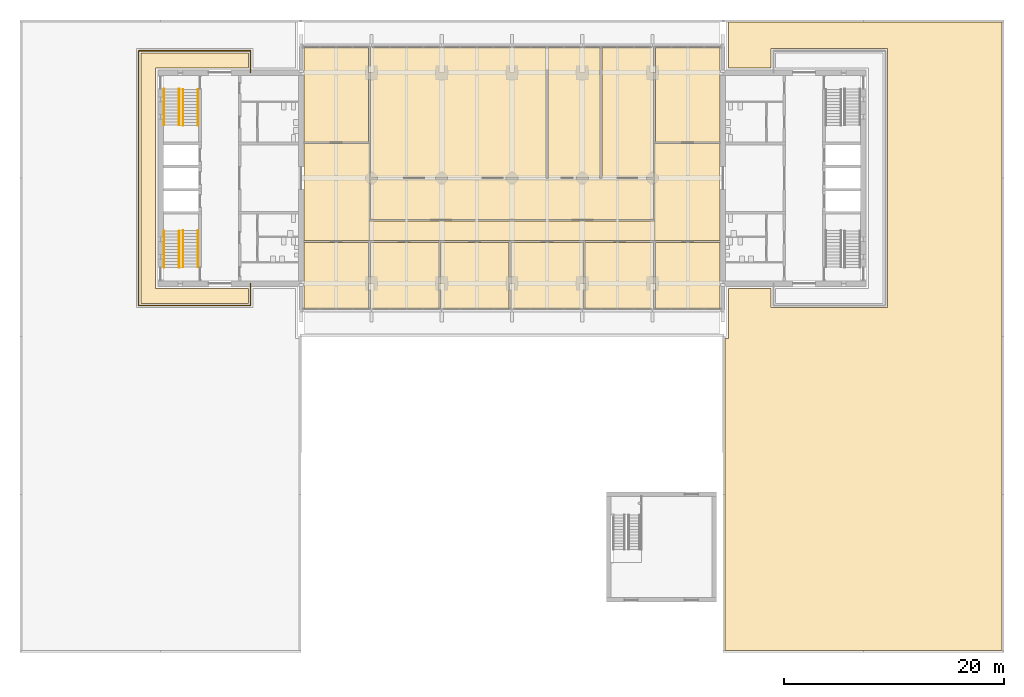
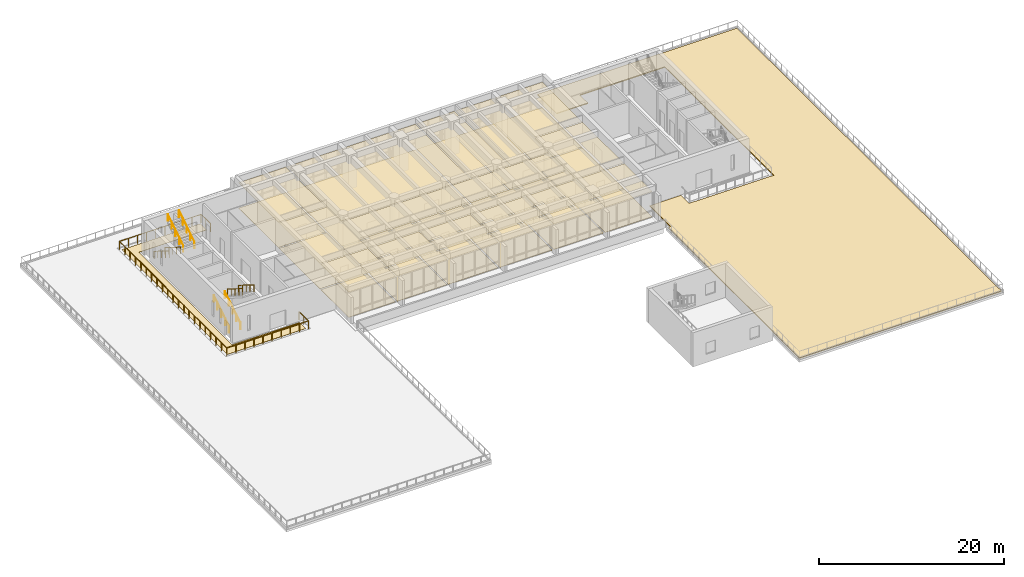
# One storey, part 19 of 21: 32 coverings, 9 railings.
"""IFC4 building model written with IfcOpenShell, lengths in metres."""

from ifc_helpers import new_model, si_unit, direction, frame, origin, origin_2d, place, context, subcontext, project, spatial, polyline, circle, outline, extrude, material, layer, layer_set, type_object, element, save


model = new_model("IFC4")

# Units and contexts
model_context = context("Model", 3, precision=1e-05, world=origin(), true_north=direction((0.0, 1.0)))
body_context = subcontext(model_context, "Body", "Model", "MODEL_VIEW")
ifc_project = project(units=[si_unit("LENGTHUNIT", "METRE"), si_unit("AREAUNIT", "SQUARE_METRE"), si_unit("VOLUMEUNIT", "CUBIC_METRE"), si_unit("PLANEANGLEUNIT", "RADIAN"), si_unit("MASSUNIT", "GRAM", prefix="KILO")], contexts=[model_context])

# Site, building, storey
site_placement = place(None, origin())
site = spatial("IfcSite", under=ifc_project, at=site_placement, CompositionType="ELEMENT")
building_placement = place(site_placement, origin())
building = spatial("IfcBuilding", under=site, at=building_placement, Name="Fogon Plaza Fire Station and Headquarters Tower", CompositionType="ELEMENT")
storey_placement = place(building_placement, frame((0.0, 0.0, 8.39990234375)))
storey = spatial("IfcBuildingStorey", under=building, at=storey_placement, Name="L02", CompositionType="ELEMENT", Elevation=8.39990234375)

# Coverings
ifc_material_1 = material(Name="Extensive green roof substrate and sedum")
ifc_layer_1 = layer(ifc_material_1, 0.1201171875)
ifc_layer_set_1 = layer_set([ifc_layer_1], Name="Extensive green roof substrate and sedum")
covering_type_1 = type_object("IfcCoveringType", Name="Extensive Green Roof 120", PredefinedType="USERDEFINED", material=ifc_layer_set_1)
covering_1_placement = place(storey_placement, origin())
element("IfcCovering", 1, at=covering_1_placement, inside=storey, type_object=covering_type_1, Name="Green roof E", ObjectType="GREEN ROOF", PredefinedType="USERDEFINED", context=body_context, shape_type="SweptSolid", body=[
    extrude(outline(polyline([(89.39990234375, 57.39990234375), (89.39990234375, 0.199951171875), (64.199951171875, 0.199951171875), (64.199951171875, 28.60009765625), (64.5, 28.60009765625), (64.5, 33.14990234375), (68.39990234375, 33.14990234375), (68.39990234375, 31.39990234375), (79.0, 31.39990234375), (79.0, 55.0), (68.39990234375, 55.0), (68.39990234375, 53.25), (64.5, 53.25), (64.5, 57.39990234375), (89.39990234375, 57.39990234375)])), origin(), (0.0, 0.0, 1.0), 0.1201171875),
])
ifc_material_2 = material(Name="Hardwood decking", Category="wood")
ifc_layer_2 = layer(ifc_material_2, 0.030029296875)
ifc_layer_set_2 = layer_set([ifc_layer_2], Name="Hardwood decking")
covering_type_2 = type_object("IfcCoveringType", Name="Hardwood Terrace Decking 30", PredefinedType="FLOORING", material=ifc_layer_set_2)
covering_2_placement = place(storey_placement, origin())
element("IfcCovering", 2, at=covering_2_placement, inside=storey, type_object=covering_type_2, Name="Terrace decking W", PredefinedType="FLOORING", context=body_context, shape_type="SweptSolid", body=[
    extrude(outline(polyline([(20.800048828125, 31.800048828125), (11.0, 31.800048828125), (11.0, 54.60009765625), (20.800048828125, 54.60009765625), (20.800048828125, 53.25), (12.35009765625, 53.25), (12.35009765625, 33.14990234375), (20.800048828125, 33.14990234375), (20.800048828125, 31.800048828125)])), origin(), (0.0, 0.0, 1.0), 0.030029296875),
])

# Railings
ifc_material_3 = material(Name="Steel", Category="steel")
railing_type_1 = type_object("IfcRailingType", Name="Stair Handrail 900", PredefinedType="HANDRAIL", material=ifc_material_3)
for number, where, name in (
    (3, (13.10009765625, 35.06005859375, 0.173095703125), "Handrail ST1"),
    (4, (14.5, 35.06005859375, 0.173095703125), "Handrail ST1"),
):
    element("IfcRailing", number, at=place(storey_placement, frame(where)), inside=storey, type_object=railing_type_1, Name=name, PredefinedType="HANDRAIL", context=body_context, shape_type="SweptSolid", body=[
        extrude(circle(Radius=0.02392578125, at=origin_2d()), frame((0.0, 0.0, 0.8759765625), z_axis=(0.0, 0.847415758042, 0.530929875804), x_axis=(-1.0, 0.0, 0.0)), (0.0, 0.0, 1.0), 3.911865234375),
        extrude(circle(Radius=0.02099609375, at=origin_2d()), origin(), (0.0, 0.0, 1.0), 0.851806640625),
        extrude(circle(Radius=0.02099609375, at=origin_2d()), frame((0.0, 0.82861328125, 0.519287109375)), (0.0, 0.0, 1.0), 0.851806640625),
        extrude(circle(Radius=0.02099609375, at=origin_2d()), frame((0.0, 1.657470703125, 1.03857421875)), (0.0, 0.0, 1.0), 0.851806640625),
        extrude(circle(Radius=0.02099609375, at=origin_2d()), frame((0.0, 2.486328125, 1.5576171875)), (0.0, 0.0, 1.0), 0.851806640625),
        extrude(circle(Radius=0.02099609375, at=origin_2d()), frame((0.0, 3.31494140625, 2.076904296875)), (0.0, 0.0, 1.0), 0.851806640625),
    ])
for number, where, name in (
    (5, (16.22509765625, 38.425048828125, 2.423095703125), "Handrail ST1"),
    (6, (14.824951171875, 38.425048828125, 2.423095703125), "Handrail ST1"),
):
    element("IfcRailing", number, at=place(storey_placement, frame(where)), inside=storey, type_object=railing_type_1, Name=name, PredefinedType="HANDRAIL", context=body_context, shape_type="SweptSolid", body=[
        extrude(circle(Radius=0.02392578125, at=origin_2d()), frame((0.0, 0.0, 0.8759765625), z_axis=(0.0, -0.847415758042, 0.530929875804), x_axis=(1.0, 0.0, 0.0)), (0.0, 0.0, 1.0), 3.911865234375),
        extrude(circle(Radius=0.02099609375, at=origin_2d()), origin(), (0.0, 0.0, 1.0), 0.851806640625),
        extrude(circle(Radius=0.02099609375, at=origin_2d()), frame((0.0, -0.82861328125, 0.519287109375)), (0.0, 0.0, 1.0), 0.851806640625),
        extrude(circle(Radius=0.02099609375, at=origin_2d()), frame((0.0, -1.657470703125, 1.03857421875)), (0.0, 0.0, 1.0), 0.851806640625),
        extrude(circle(Radius=0.02099609375, at=origin_2d()), frame((0.0, -2.486328125, 1.5576171875)), (0.0, 0.0, 1.0), 0.851806640625),
        extrude(circle(Radius=0.02099609375, at=origin_2d()), frame((0.0, -3.31494140625, 2.076904296875)), (0.0, 0.0, 1.0), 0.851806640625),
    ])
for number, where, name in (
    (7, (13.10009765625, 51.340087890625, 0.173095703125), "Handrail ST2"),
    (8, (14.5, 51.340087890625, 0.173095703125), "Handrail ST2"),
):
    element("IfcRailing", number, at=place(storey_placement, frame(where)), inside=storey, type_object=railing_type_1, Name=name, PredefinedType="HANDRAIL", context=body_context, shape_type="SweptSolid", body=[
        extrude(circle(Radius=0.02392578125, at=origin_2d()), frame((0.0, 0.0, 0.8759765625), z_axis=(0.0, -0.847433349451, 0.53090179717), x_axis=(1.0, 0.0, 0.0)), (0.0, 0.0, 1.0), 3.912109375),
        extrude(circle(Radius=0.02099609375, at=origin_2d()), origin(), (0.0, 0.0, 1.0), 0.851806640625),
        extrude(circle(Radius=0.02099609375, at=origin_2d()), frame((0.0, -0.828857421875, 0.519287109375)), (0.0, 0.0, 1.0), 0.851806640625),
        extrude(circle(Radius=0.02099609375, at=origin_2d()), frame((0.0, -1.65771484375, 1.03857421875)), (0.0, 0.0, 1.0), 0.851806640625),
        extrude(circle(Radius=0.02099609375, at=origin_2d()), frame((0.0, -2.486328125, 1.5576171875)), (0.0, 0.0, 1.0), 0.851806640625),
        extrude(circle(Radius=0.02099609375, at=origin_2d()), frame((0.0, -3.315185546875, 2.076904296875)), (0.0, 0.0, 1.0), 0.851806640625),
    ])
for number, where, name in (
    (9, (16.22509765625, 47.97509765625, 2.423095703125), "Handrail ST2"),
    (10, (14.824951171875, 47.97509765625, 2.423095703125), "Handrail ST2"),
):
    element("IfcRailing", number, at=place(storey_placement, frame(where)), inside=storey, type_object=railing_type_1, Name=name, PredefinedType="HANDRAIL", context=body_context, shape_type="SweptSolid", body=[
        extrude(circle(Radius=0.02392578125, at=origin_2d()), frame((0.0, 0.0, 0.8759765625), z_axis=(0.0, 0.847415758042, 0.530929875804), x_axis=(-1.0, 0.0, 0.0)), (0.0, 0.0, 1.0), 3.911865234375),
        extrude(circle(Radius=0.02099609375, at=origin_2d()), origin(), (0.0, 0.0, 1.0), 0.851806640625),
        extrude(circle(Radius=0.02099609375, at=origin_2d()), frame((0.0, 0.82861328125, 0.519287109375)), (0.0, 0.0, 1.0), 0.851806640625),
        extrude(circle(Radius=0.02099609375, at=origin_2d()), frame((0.0, 1.657470703125, 1.03857421875)), (0.0, 0.0, 1.0), 0.851806640625),
        extrude(circle(Radius=0.02099609375, at=origin_2d()), frame((0.0, 2.486328125, 1.5576171875)), (0.0, 0.0, 1.0), 0.851806640625),
        extrude(circle(Radius=0.02099609375, at=origin_2d()), frame((0.0, 3.31494140625, 2.076904296875)), (0.0, 0.0, 1.0), 0.851806640625),
    ])
ifc_material_4 = material(Name="Galvanised Steel", Category="steel")
railing_type_2 = type_object("IfcRailingType", Name="Terrace Guard Steel 1100", PredefinedType="GUARDRAIL", material=ifc_material_4)
railing_placement = place(storey_placement, frame((21.0, 33.60009765625, 0.0)))
element("IfcRailing", 11, at=railing_placement, inside=storey, type_object=railing_type_2, Name="rail-L02-terrace-TW-inner", PredefinedType="GUARDRAIL", context=body_context, shape_type="SweptSolid", body=[
    extrude(circle(Radius=0.02392578125, at=origin_2d()), frame((0.0, 0.0, 1.076171875), z_axis=(0.0, -1.0, 0.0), x_axis=(1.0, 0.0, 0.0)), (0.0, 0.0, 1.0), 2.0),
    extrude(circle(Radius=0.02392578125, at=origin_2d()), frame((0.0, -2.0, 1.076171875), z_axis=(-1.0, 0.0, 0.0), x_axis=(0.0, -1.0, 0.0)), (0.0, 0.0, 1.0), 10.199951171875),
    extrude(circle(Radius=0.02392578125, at=origin_2d()), frame((-10.199951171875, -2.0, 1.076171875), z_axis=(0.0, 1.0, 0.0), x_axis=(-1.0, 0.0, 0.0)), (0.0, 0.0, 1.0), 23.199951171875),
    extrude(circle(Radius=0.02392578125, at=origin_2d()), frame((-10.199951171875, 21.199951171875, 1.076171875), z_axis=(1.0, 0.0, 0.0), x_axis=(0.0, 1.0, 0.0)), (0.0, 0.0, 1.0), 10.199951171875),
    extrude(circle(Radius=0.02392578125, at=origin_2d()), frame((0.0, 21.199951171875, 1.076171875), z_axis=(0.0, -1.0, 0.0), x_axis=(1.0, 0.0, 0.0)), (0.0, 0.0, 1.0), 2.0),
    extrude(circle(Radius=0.02099609375, at=origin_2d()), origin(), (0.0, 0.0, 1.0), 1.052001953125),
    extrude(circle(Radius=0.02099609375, at=origin_2d()), frame((0.0, -1.0, 0.0)), (0.0, 0.0, 1.0), 1.052001953125),
    extrude(circle(Radius=0.02099609375, at=origin_2d()), frame((0.0, -2.0, 0.0)), (0.0, 0.0, 1.0), 1.052001953125),
    extrude(circle(Radius=0.02099609375, at=origin_2d()), frame((-1.13330078125, -2.0, 0.0)), (0.0, 0.0, 1.0), 1.052001953125),
    extrude(circle(Radius=0.02099609375, at=origin_2d()), frame((-2.2666015625, -2.0, 0.0)), (0.0, 0.0, 1.0), 1.052001953125),
    extrude(circle(Radius=0.02099609375, at=origin_2d()), frame((-3.39990234375, -2.0, 0.0)), (0.0, 0.0, 1.0), 1.052001953125),
    extrude(circle(Radius=0.02099609375, at=origin_2d()), frame((-4.533203125, -2.0, 0.0)), (0.0, 0.0, 1.0), 1.052001953125),
    extrude(circle(Radius=0.02099609375, at=origin_2d()), frame((-5.666748046875, -2.0, 0.0)), (0.0, 0.0, 1.0), 1.052001953125),
    extrude(circle(Radius=0.02099609375, at=origin_2d()), frame((-6.800048828125, -2.0, 0.0)), (0.0, 0.0, 1.0), 1.052001953125),
    extrude(circle(Radius=0.02099609375, at=origin_2d()), frame((-7.933349609375, -2.0, 0.0)), (0.0, 0.0, 1.0), 1.052001953125),
    extrude(circle(Radius=0.02099609375, at=origin_2d()), frame((-9.066650390625, -2.0, 0.0)), (0.0, 0.0, 1.0), 1.052001953125),
    extrude(circle(Radius=0.02099609375, at=origin_2d()), frame((-10.199951171875, -2.0, 0.0)), (0.0, 0.0, 1.0), 1.052001953125),
    extrude(circle(Radius=0.02099609375, at=origin_2d()), frame((-10.199951171875, -0.840087890625, 0.0)), (0.0, 0.0, 1.0), 1.052001953125),
    extrude(circle(Radius=0.02099609375, at=origin_2d()), frame((-10.199951171875, 0.320068359375, 0.0)), (0.0, 0.0, 1.0), 1.052001953125),
    extrude(circle(Radius=0.02099609375, at=origin_2d()), frame((-10.199951171875, 1.47998046875, 0.0)), (0.0, 0.0, 1.0), 1.052001953125),
    extrude(circle(Radius=0.02099609375, at=origin_2d()), frame((-10.199951171875, 2.639892578125, 0.0)), (0.0, 0.0, 1.0), 1.052001953125),
    extrude(circle(Radius=0.02099609375, at=origin_2d()), frame((-10.199951171875, 3.800048828125, 0.0)), (0.0, 0.0, 1.0), 1.052001953125),
    extrude(circle(Radius=0.02099609375, at=origin_2d()), frame((-10.199951171875, 4.9599609375, 0.0)), (0.0, 0.0, 1.0), 1.052001953125),
    extrude(circle(Radius=0.02099609375, at=origin_2d()), frame((-10.199951171875, 6.119873046875, 0.0)), (0.0, 0.0, 1.0), 1.052001953125),
    extrude(circle(Radius=0.02099609375, at=origin_2d()), frame((-10.199951171875, 7.280029296875, 0.0)), (0.0, 0.0, 1.0), 1.052001953125),
    extrude(circle(Radius=0.02099609375, at=origin_2d()), frame((-10.199951171875, 8.43994140625, 0.0)), (0.0, 0.0, 1.0), 1.052001953125),
    extrude(circle(Radius=0.02099609375, at=origin_2d()), frame((-10.199951171875, 9.60009765625, 0.0)), (0.0, 0.0, 1.0), 1.052001953125),
    extrude(circle(Radius=0.02099609375, at=origin_2d()), frame((-10.199951171875, 10.760009765625, 0.0)), (0.0, 0.0, 1.0), 1.052001953125),
    extrude(circle(Radius=0.02099609375, at=origin_2d()), frame((-10.199951171875, 11.919921875, 0.0)), (0.0, 0.0, 1.0), 1.052001953125),
    extrude(circle(Radius=0.02099609375, at=origin_2d()), frame((-10.199951171875, 13.080078125, 0.0)), (0.0, 0.0, 1.0), 1.052001953125),
    extrude(circle(Radius=0.02099609375, at=origin_2d()), frame((-10.199951171875, 14.239990234375, 0.0)), (0.0, 0.0, 1.0), 1.052001953125),
    extrude(circle(Radius=0.02099609375, at=origin_2d()), frame((-10.199951171875, 15.39990234375, 0.0)), (0.0, 0.0, 1.0), 1.052001953125),
    extrude(circle(Radius=0.02099609375, at=origin_2d()), frame((-10.199951171875, 16.56005859375, 0.0)), (0.0, 0.0, 1.0), 1.052001953125),
    extrude(circle(Radius=0.02099609375, at=origin_2d()), frame((-10.199951171875, 17.719970703125, 0.0)), (0.0, 0.0, 1.0), 1.052001953125),
    extrude(circle(Radius=0.02099609375, at=origin_2d()), frame((-10.199951171875, 18.8798828125, 0.0)), (0.0, 0.0, 1.0), 1.052001953125),
    extrude(circle(Radius=0.02099609375, at=origin_2d()), frame((-10.199951171875, 20.0400390625, 0.0)), (0.0, 0.0, 1.0), 1.052001953125),
    extrude(circle(Radius=0.02099609375, at=origin_2d()), frame((-10.199951171875, 21.199951171875, 0.0)), (0.0, 0.0, 1.0), 1.052001953125),
    extrude(circle(Radius=0.02099609375, at=origin_2d()), frame((-9.066650390625, 21.199951171875, 0.0)), (0.0, 0.0, 1.0), 1.052001953125),
    extrude(circle(Radius=0.02099609375, at=origin_2d()), frame((-7.933349609375, 21.199951171875, 0.0)), (0.0, 0.0, 1.0), 1.052001953125),
    extrude(circle(Radius=0.02099609375, at=origin_2d()), frame((-6.800048828125, 21.199951171875, 0.0)), (0.0, 0.0, 1.0), 1.052001953125),
    extrude(circle(Radius=0.02099609375, at=origin_2d()), frame((-5.666748046875, 21.199951171875, 0.0)), (0.0, 0.0, 1.0), 1.052001953125),
    extrude(circle(Radius=0.02099609375, at=origin_2d()), frame((-4.533203125, 21.199951171875, 0.0)), (0.0, 0.0, 1.0), 1.052001953125),
    extrude(circle(Radius=0.02099609375, at=origin_2d()), frame((-3.39990234375, 21.199951171875, 0.0)), (0.0, 0.0, 1.0), 1.052001953125),
    extrude(circle(Radius=0.02099609375, at=origin_2d()), frame((-2.2666015625, 21.199951171875, 0.0)), (0.0, 0.0, 1.0), 1.052001953125),
    extrude(circle(Radius=0.02099609375, at=origin_2d()), frame((-1.13330078125, 21.199951171875, 0.0)), (0.0, 0.0, 1.0), 1.052001953125),
    extrude(circle(Radius=0.02099609375, at=origin_2d()), frame((0.0, 21.199951171875, 0.0)), (0.0, 0.0, 1.0), 1.052001953125),
    extrude(circle(Radius=0.02099609375, at=origin_2d()), frame((0.0, 20.199951171875, 0.0)), (0.0, 0.0, 1.0), 1.052001953125),
    extrude(circle(Radius=0.02099609375, at=origin_2d()), frame((0.0, 19.199951171875, 0.0)), (0.0, 0.0, 1.0), 1.052001953125),
])

# Coverings
ifc_material_5 = material(Name="Acoustic ceiling tile")
ifc_layer_3 = layer(ifc_material_5, 0.050048828125)
ifc_layer_set_3 = layer_set([ifc_layer_3], Name="Acoustic ceiling tile")
covering_type_3 = type_object("IfcCoveringType", Name="Tower acoustic ceiling", PredefinedType="CEILING", material=ifc_layer_set_3)
covering_3_placement = place(storey_placement, frame((0.0, 0.0, 3.330078125)))
element("IfcCovering", 12, at=covering_3_placement, inside=storey, type_object=covering_type_3, Name="cov-cl-L02-01", PredefinedType="CEILING", context=body_context, shape_type="SweptSolid", body=[
    extrude(outline(polyline([(31.732421875, 31.300048828125), (31.732421875, 37.35009765625), (25.85009765625, 37.35009765625), (25.85009765625, 31.300048828125), (31.732421875, 31.300048828125)])), origin(), (0.0, 0.0, 1.0), 0.050048828125),
])
covering_4_placement = place(storey_placement, frame((0.0, 0.0, 3.330078125)))
element("IfcCovering", 13, at=covering_4_placement, inside=storey, type_object=covering_type_3, Name="cov-cl-L02-02", PredefinedType="CEILING", context=body_context, shape_type="SweptSolid", body=[
    extrude(outline(polyline([(38.132568359375, 31.300048828125), (38.132568359375, 37.35009765625), (31.907470703125, 37.35009765625), (31.907470703125, 31.300048828125), (38.132568359375, 31.300048828125)])), origin(), (0.0, 0.0, 1.0), 0.050048828125),
])
covering_5_placement = place(storey_placement, frame((0.0, 0.0, 3.330078125)))
element("IfcCovering", 14, at=covering_5_placement, inside=storey, type_object=covering_type_3, Name="cov-cl-L02-03", PredefinedType="CEILING", context=body_context, shape_type="SweptSolid", body=[
    extrude(outline(polyline([(44.532470703125, 31.300048828125), (44.532470703125, 37.35009765625), (38.3076171875, 37.35009765625), (38.3076171875, 31.300048828125), (44.532470703125, 31.300048828125)])), origin(), (0.0, 0.0, 1.0), 0.050048828125),
])
covering_6_placement = place(storey_placement, frame((0.0, 0.0, 3.330078125)))
element("IfcCovering", 15, at=covering_6_placement, inside=storey, type_object=covering_type_3, Name="cov-cl-L02-04", PredefinedType="CEILING", context=body_context, shape_type="SweptSolid", body=[
    extrude(outline(polyline([(51.29248046875, 31.300048828125), (51.29248046875, 37.35009765625), (44.70751953125, 37.35009765625), (44.70751953125, 31.300048828125), (51.29248046875, 31.300048828125)])), origin(), (0.0, 0.0, 1.0), 0.050048828125),
])
covering_7_placement = place(storey_placement, frame((0.0, 0.0, 3.330078125)))
element("IfcCovering", 16, at=covering_7_placement, inside=storey, type_object=covering_type_3, Name="cov-cl-L02-05", PredefinedType="CEILING", context=body_context, shape_type="SweptSolid", body=[
    extrude(outline(polyline([(57.6923828125, 31.300048828125), (57.6923828125, 37.35009765625), (51.467529296875, 37.35009765625), (51.467529296875, 31.300048828125), (57.6923828125, 31.300048828125)])), origin(), (0.0, 0.0, 1.0), 0.050048828125),
])
covering_8_placement = place(storey_placement, frame((0.0, 0.0, 3.330078125)))
element("IfcCovering", 17, at=covering_8_placement, inside=storey, type_object=covering_type_3, Name="cov-cl-L02-06", PredefinedType="CEILING", context=body_context, shape_type="SweptSolid", body=[
    extrude(outline(polyline([(63.75, 31.300048828125), (63.75, 37.35009765625), (57.867431640625, 37.35009765625), (57.867431640625, 31.300048828125), (63.75, 31.300048828125)])), origin(), (0.0, 0.0, 1.0), 0.050048828125),
])
covering_9_placement = place(storey_placement, frame((0.0, 0.0, 3.330078125)))
element("IfcCovering", 18, at=covering_9_placement, inside=storey, type_object=covering_type_3, Name="cov-cl-L02-08", PredefinedType="CEILING", context=body_context, shape_type="SweptSolid", body=[
    extrude(outline(polyline([(47.91259765625, 43.27490234375), (47.91259765625, 55.10009765625), (31.89501953125, 55.10009765625), (31.89501953125, 43.27490234375), (47.91259765625, 43.27490234375)])), origin(), (0.0, 0.0, 1.0), 0.050048828125),
])
covering_10_placement = place(storey_placement, frame((0.0, 0.0, 3.330078125)))
element("IfcCovering", 19, at=covering_10_placement, inside=storey, type_object=covering_type_3, Name="cov-cl-L02-10", PredefinedType="CEILING", context=body_context, shape_type="SweptSolid", body=[
    extrude(outline(polyline([(57.705078125, 43.27490234375), (57.705078125, 55.10009765625), (52.9775390625, 55.10009765625), (52.9775390625, 43.27490234375), (57.705078125, 43.27490234375)])), origin(), (0.0, 0.0, 1.0), 0.050048828125),
])
ifc_material_6 = material(Name="Carpet tile")
ifc_layer_4 = layer(ifc_material_6, 0.011962890625)
ifc_layer_set_4 = layer_set([ifc_layer_4], Name="Carpet tile")
covering_type_4 = type_object("IfcCoveringType", Name="Tower carpet tile floor", PredefinedType="FLOORING", material=ifc_layer_set_4)
covering_11_placement = place(storey_placement, origin())
element("IfcCovering", 20, at=covering_11_placement, inside=storey, type_object=covering_type_4, Name="cov-fl-L02-09", PredefinedType="FLOORING", context=body_context, shape_type="SweptSolid", body=[
    extrude(outline(polyline([(52.802490234375, 43.27490234375), (52.802490234375, 55.10009765625), (48.08740234375, 55.10009765625), (48.08740234375, 43.27490234375), (52.802490234375, 43.27490234375)])), origin(), (0.0, 0.0, 1.0), 0.01220703125),
])
covering_12_placement = place(storey_placement, origin())
element("IfcCovering", 21, at=covering_12_placement, inside=storey, type_object=covering_type_4, Name="cov-fl-L02-11", PredefinedType="FLOORING", context=body_context, shape_type="SweptSolid", body=[
    extrude(outline(polyline([(31.7451171875, 46.5), (31.7451171875, 55.10009765625), (25.85009765625, 55.10009765625), (25.85009765625, 46.5), (31.7451171875, 46.5)])), origin(), (0.0, 0.0, 1.0), 0.01220703125),
])
ifc_material_7 = material(Name="Heavy duty carpet tile")
ifc_layer_5 = layer(ifc_material_7, 0.013916015625)
ifc_layer_set_5 = layer_set([ifc_layer_5], Name="Heavy duty carpet tile")
covering_type_5 = type_object("IfcCoveringType", Name="Tower corridor carpet floor", PredefinedType="FLOORING", material=ifc_layer_set_5)
covering_13_placement = place(storey_placement, origin())
element("IfcCovering", 22, at=covering_13_placement, inside=storey, type_object=covering_type_5, Name="cov-fl-L02-07", PredefinedType="FLOORING", context=body_context, shape_type="SweptSolid", body=[
    extrude(outline(polyline([(57.705078125, 39.449951171875), (57.705078125, 43.125), (31.89501953125, 43.125), (31.89501953125, 39.449951171875), (57.705078125, 39.449951171875)])), origin(), (0.0, 0.0, 1.0), 0.01416015625),
])
covering_14_placement = place(storey_placement, origin())
element("IfcCovering", 23, at=covering_14_placement, inside=storey, type_object=covering_type_5, Name="cov-fl-L02-13", PredefinedType="FLOORING", context=body_context, shape_type="SweptSolid", body=[
    extrude(outline(polyline([(57.780029296875, 37.5), (57.780029296875, 39.300048828125), (31.820068359375, 39.300048828125), (31.820068359375, 37.5), (57.780029296875, 37.5)])), origin(), (0.0, 0.0, 1.0), 0.01416015625),
])
covering_15_placement = place(storey_placement, origin())
element("IfcCovering", 24, at=covering_15_placement, inside=storey, type_object=covering_type_5, Name="cov-fl-L02-14", PredefinedType="FLOORING", context=body_context, shape_type="SweptSolid", body=[
    extrude(outline(polyline([(31.820068359375, 37.5), (31.820068359375, 46.35009765625), (25.85009765625, 46.35009765625), (25.85009765625, 37.5), (31.820068359375, 37.5)])), origin(), (0.0, 0.0, 1.0), 0.01416015625),
])
covering_16_placement = place(storey_placement, origin())
element("IfcCovering", 25, at=covering_16_placement, inside=storey, type_object=covering_type_5, Name="cov-fl-L02-15", PredefinedType="FLOORING", context=body_context, shape_type="SweptSolid", body=[
    extrude(outline(polyline([(63.75, 37.5), (63.75, 46.35009765625), (57.780029296875, 46.35009765625), (57.780029296875, 37.5), (63.75, 37.5)])), origin(), (0.0, 0.0, 1.0), 0.01416015625),
])
ifc_material_8 = material(Name="Moisture resistant plasterboard ceiling")
ifc_layer_6 = layer(ifc_material_8, 0.034912109375)
ifc_layer_set_6 = layer_set([ifc_layer_6], Name="Moisture resistant plasterboard ceiling")
covering_type_6 = type_object("IfcCoveringType", Name="Tower moisture resistant ceiling", PredefinedType="CEILING", material=ifc_layer_set_6)
covering_17_placement = place(storey_placement, frame((0.0, 0.0, 3.34521484375)))
element("IfcCovering", 26, at=covering_17_placement, inside=storey, type_object=covering_type_6, Name="cov-cl-L02-12", PredefinedType="CEILING", context=body_context, shape_type="SweptSolid", body=[
    extrude(outline(polyline([(63.75, 46.5), (63.75, 55.10009765625), (57.85498046875, 55.10009765625), (57.85498046875, 46.5), (63.75, 46.5)])), origin(), (0.0, 0.0, 1.0), 0.034912109375),
])
ifc_material_9 = material(Name="Plasterboard ceiling")
ifc_layer_7 = layer(ifc_material_9, 0.030029296875)
ifc_layer_set_7 = layer_set([ifc_layer_7], Name="Plasterboard ceiling")
covering_type_7 = type_object("IfcCoveringType", Name="Tower plasterboard ceiling", PredefinedType="CEILING", material=ifc_layer_set_7)
covering_18_placement = place(storey_placement, frame((0.0, 0.0, 3.35009765625)))
element("IfcCovering", 27, at=covering_18_placement, inside=storey, type_object=covering_type_7, Name="cov-cl-L02-07", PredefinedType="CEILING", context=body_context, shape_type="SweptSolid", body=[
    extrude(outline(polyline([(57.705078125, 39.449951171875), (57.705078125, 43.125), (31.89501953125, 43.125), (31.89501953125, 39.449951171875), (57.705078125, 39.449951171875)])), origin(), (0.0, 0.0, 1.0), 0.030029296875),
])
covering_19_placement = place(storey_placement, frame((0.0, 0.0, 3.35009765625)))
element("IfcCovering", 28, at=covering_19_placement, inside=storey, type_object=covering_type_7, Name="cov-cl-L02-13", PredefinedType="CEILING", context=body_context, shape_type="SweptSolid", body=[
    extrude(outline(polyline([(57.780029296875, 37.5), (57.780029296875, 39.300048828125), (31.820068359375, 39.300048828125), (31.820068359375, 37.5), (57.780029296875, 37.5)])), origin(), (0.0, 0.0, 1.0), 0.030029296875),
])
covering_20_placement = place(storey_placement, frame((0.0, 0.0, 3.35009765625)))
element("IfcCovering", 29, at=covering_20_placement, inside=storey, type_object=covering_type_7, Name="cov-cl-L02-14", PredefinedType="CEILING", context=body_context, shape_type="SweptSolid", body=[
    extrude(outline(polyline([(31.820068359375, 37.5), (31.820068359375, 46.35009765625), (25.85009765625, 46.35009765625), (25.85009765625, 37.5), (31.820068359375, 37.5)])), origin(), (0.0, 0.0, 1.0), 0.030029296875),
])
covering_21_placement = place(storey_placement, frame((0.0, 0.0, 3.35009765625)))
element("IfcCovering", 30, at=covering_21_placement, inside=storey, type_object=covering_type_7, Name="cov-cl-L02-15", PredefinedType="CEILING", context=body_context, shape_type="SweptSolid", body=[
    extrude(outline(polyline([(63.75, 37.5), (63.75, 46.35009765625), (57.780029296875, 46.35009765625), (57.780029296875, 37.5), (63.75, 37.5)])), origin(), (0.0, 0.0, 1.0), 0.030029296875),
])
ifc_material_10 = material(Name="Sealed cement screed")
ifc_layer_8 = layer(ifc_material_10, 0.030029296875)
ifc_layer_set_8 = layer_set([ifc_layer_8], Name="Sealed cement screed")
covering_type_8 = type_object("IfcCoveringType", Name="Tower sealed screed floor", PredefinedType="FLOORING", material=ifc_layer_set_8)
covering_22_placement = place(storey_placement, origin())
element("IfcCovering", 31, at=covering_22_placement, inside=storey, type_object=covering_type_8, Name="cov-fl-L02-12", PredefinedType="FLOORING", context=body_context, shape_type="SweptSolid", body=[
    extrude(outline(polyline([(63.75, 46.5), (63.75, 55.10009765625), (57.85498046875, 55.10009765625), (57.85498046875, 46.5), (63.75, 46.5)])), origin(), (0.0, 0.0, 1.0), 0.030029296875),
])
ifc_material_11 = material(Name="Mineral fibre ceiling tile")
ifc_layer_9 = layer(ifc_material_11, 0.0400390625)
ifc_layer_set_9 = layer_set([ifc_layer_9], Name="Mineral fibre ceiling tile")
covering_type_9 = type_object("IfcCoveringType", Name="Tower suspended tile ceiling", PredefinedType="CEILING", material=ifc_layer_set_9)
covering_23_placement = place(storey_placement, frame((0.0, 0.0, 3.340087890625)))
element("IfcCovering", 32, at=covering_23_placement, inside=storey, type_object=covering_type_9, Name="cov-cl-L02-09", PredefinedType="CEILING", context=body_context, shape_type="SweptSolid", body=[
    extrude(outline(polyline([(52.802490234375, 43.27490234375), (52.802490234375, 55.10009765625), (48.08740234375, 55.10009765625), (48.08740234375, 43.27490234375), (52.802490234375, 43.27490234375)])), origin(), (0.0, 0.0, 1.0), 0.0400390625),
])
covering_24_placement = place(storey_placement, frame((0.0, 0.0, 3.340087890625)))
element("IfcCovering", 33, at=covering_24_placement, inside=storey, type_object=covering_type_9, Name="cov-cl-L02-11", PredefinedType="CEILING", context=body_context, shape_type="SweptSolid", body=[
    extrude(outline(polyline([(31.7451171875, 46.5), (31.7451171875, 55.10009765625), (25.85009765625, 55.10009765625), (25.85009765625, 46.5), (31.7451171875, 46.5)])), origin(), (0.0, 0.0, 1.0), 0.0400390625),
])
ifc_material_12 = material(Name="Vinyl sheet")
ifc_layer_10 = layer(ifc_material_12, 0.010009765625)
ifc_layer_set_10 = layer_set([ifc_layer_10], Name="Vinyl sheet")
covering_type_10 = type_object("IfcCoveringType", Name="Tower vinyl floor", PredefinedType="FLOORING", material=ifc_layer_set_10)
covering_25_placement = place(storey_placement, origin())
element("IfcCovering", 34, at=covering_25_placement, inside=storey, type_object=covering_type_10, Name="cov-fl-L02-01", PredefinedType="FLOORING", context=body_context, shape_type="SweptSolid", body=[
    extrude(outline(polyline([(31.732421875, 31.300048828125), (31.732421875, 37.35009765625), (25.85009765625, 37.35009765625), (25.85009765625, 31.300048828125), (31.732421875, 31.300048828125)])), origin(), (0.0, 0.0, 1.0), 0.010009765625),
])
covering_26_placement = place(storey_placement, origin())
element("IfcCovering", 35, at=covering_26_placement, inside=storey, type_object=covering_type_10, Name="cov-fl-L02-02", PredefinedType="FLOORING", context=body_context, shape_type="SweptSolid", body=[
    extrude(outline(polyline([(38.132568359375, 31.300048828125), (38.132568359375, 37.35009765625), (31.907470703125, 37.35009765625), (31.907470703125, 31.300048828125), (38.132568359375, 31.300048828125)])), origin(), (0.0, 0.0, 1.0), 0.010009765625),
])
covering_27_placement = place(storey_placement, origin())
element("IfcCovering", 36, at=covering_27_placement, inside=storey, type_object=covering_type_10, Name="cov-fl-L02-03", PredefinedType="FLOORING", context=body_context, shape_type="SweptSolid", body=[
    extrude(outline(polyline([(44.532470703125, 31.300048828125), (44.532470703125, 37.35009765625), (38.3076171875, 37.35009765625), (38.3076171875, 31.300048828125), (44.532470703125, 31.300048828125)])), origin(), (0.0, 0.0, 1.0), 0.010009765625),
])
covering_28_placement = place(storey_placement, origin())
element("IfcCovering", 37, at=covering_28_placement, inside=storey, type_object=covering_type_10, Name="cov-fl-L02-04", PredefinedType="FLOORING", context=body_context, shape_type="SweptSolid", body=[
    extrude(outline(polyline([(51.29248046875, 31.300048828125), (51.29248046875, 37.35009765625), (44.70751953125, 37.35009765625), (44.70751953125, 31.300048828125), (51.29248046875, 31.300048828125)])), origin(), (0.0, 0.0, 1.0), 0.010009765625),
])
covering_29_placement = place(storey_placement, origin())
element("IfcCovering", 38, at=covering_29_placement, inside=storey, type_object=covering_type_10, Name="cov-fl-L02-05", PredefinedType="FLOORING", context=body_context, shape_type="SweptSolid", body=[
    extrude(outline(polyline([(57.6923828125, 31.300048828125), (57.6923828125, 37.35009765625), (51.467529296875, 37.35009765625), (51.467529296875, 31.300048828125), (57.6923828125, 31.300048828125)])), origin(), (0.0, 0.0, 1.0), 0.010009765625),
])
covering_30_placement = place(storey_placement, origin())
element("IfcCovering", 39, at=covering_30_placement, inside=storey, type_object=covering_type_10, Name="cov-fl-L02-06", PredefinedType="FLOORING", context=body_context, shape_type="SweptSolid", body=[
    extrude(outline(polyline([(63.75, 31.300048828125), (63.75, 37.35009765625), (57.867431640625, 37.35009765625), (57.867431640625, 31.300048828125), (63.75, 31.300048828125)])), origin(), (0.0, 0.0, 1.0), 0.010009765625),
])
covering_31_placement = place(storey_placement, origin())
element("IfcCovering", 40, at=covering_31_placement, inside=storey, type_object=covering_type_10, Name="cov-fl-L02-08", PredefinedType="FLOORING", context=body_context, shape_type="SweptSolid", body=[
    extrude(outline(polyline([(47.91259765625, 43.27490234375), (47.91259765625, 55.10009765625), (31.89501953125, 55.10009765625), (31.89501953125, 43.27490234375), (47.91259765625, 43.27490234375)])), origin(), (0.0, 0.0, 1.0), 0.010009765625),
])
covering_32_placement = place(storey_placement, origin())
element("IfcCovering", 41, at=covering_32_placement, inside=storey, type_object=covering_type_10, Name="cov-fl-L02-10", PredefinedType="FLOORING", context=body_context, shape_type="SweptSolid", body=[
    extrude(outline(polyline([(57.705078125, 43.27490234375), (57.705078125, 55.10009765625), (52.9775390625, 55.10009765625), (52.9775390625, 43.27490234375), (57.705078125, 43.27490234375)])), origin(), (0.0, 0.0, 1.0), 0.010009765625),
])

save(model, "model.ifc")
